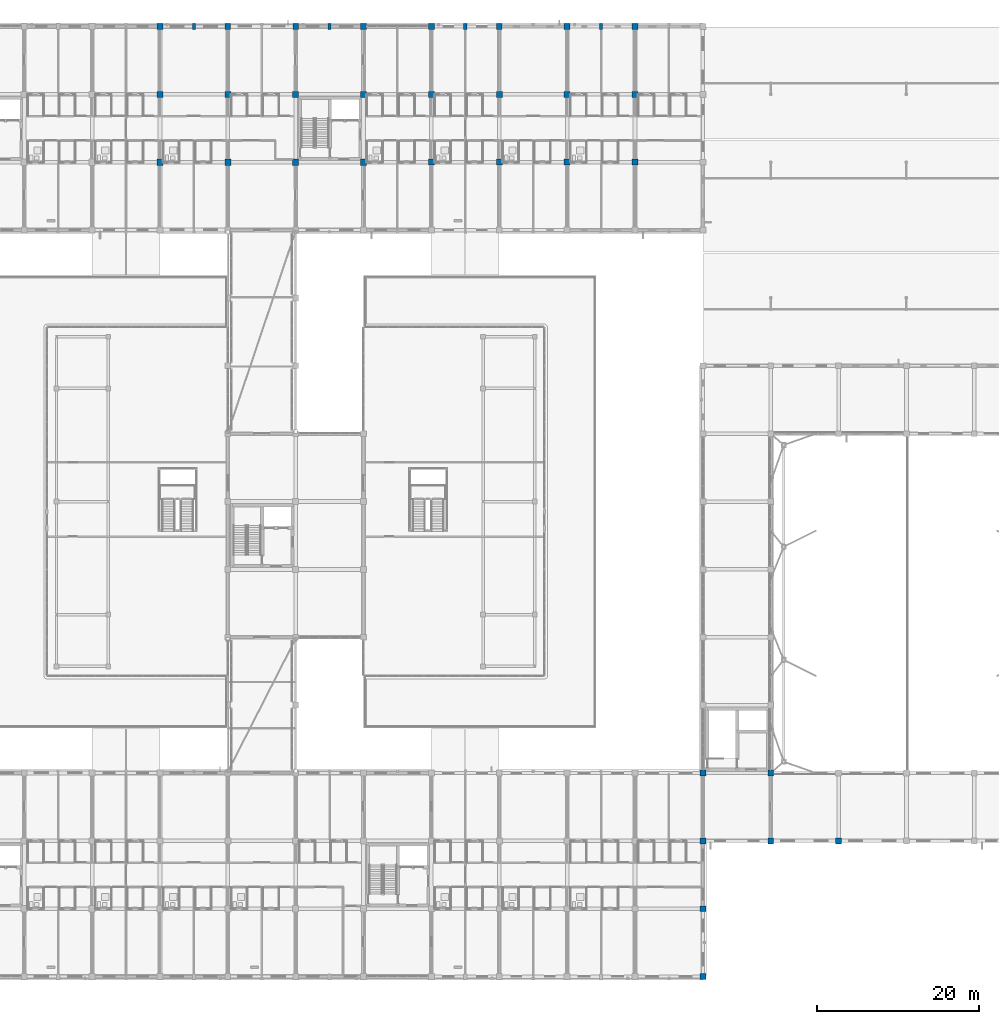
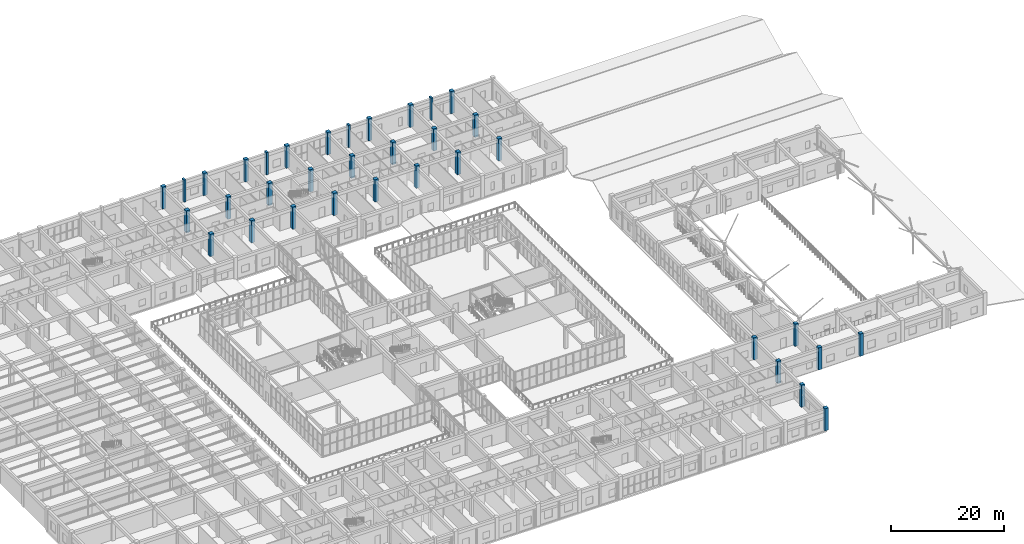
# One storey, part 11 of 158: 35 columns.
"""IFC4 building model written with IfcOpenShell, lengths in metres."""

from ifc_helpers import new_model, si_unit, direction, frame, origin, origin_2d, place, context, subcontext, project, spatial, rectangle, extrude, material, material_profile, profile_set, type_object, element, save


model = new_model("IFC4")

# Units and contexts
model_context = context("Model", 3, precision=1e-05, world=origin(), true_north=direction((0.0, 1.0)))
body_context = subcontext(model_context, "Body", "Model", "MODEL_VIEW")
ifc_project = project(units=[si_unit("LENGTHUNIT", "METRE"), si_unit("AREAUNIT", "SQUARE_METRE"), si_unit("VOLUMEUNIT", "CUBIC_METRE"), si_unit("PLANEANGLEUNIT", "RADIAN"), si_unit("MASSUNIT", "GRAM", prefix="KILO")], contexts=[model_context])

# Site, building, storey
site_placement = place(None, origin())
site = spatial("IfcSite", under=ifc_project, at=site_placement, CompositionType="ELEMENT")
building_placement = place(site_placement, origin())
building = spatial("IfcBuilding", under=site, at=building_placement, Name="Trelvath General Hospital", CompositionType="ELEMENT")
storey_placement = place(building_placement, frame((0.0, 0.0, 8.10009765625)))
storey = spatial("IfcBuildingStorey", under=building, at=storey_placement, Name="L02", CompositionType="ELEMENT", Elevation=8.10009765625)

# Columns
ifc_material_1 = material(Name="Concrete C40/50", Category="concrete")
ifc_material_profile_1 = material_profile(ifc_material_1, rectangle(XDim=0.719970703125, YDim=0.719970703125, at=origin_2d()), Name="RC720x720")
ifc_profile_set_1 = profile_set([ifc_material_profile_1], Name="Concrete C40/50")
column_type_1 = type_object("IfcColumnType", Name="Column RC720", PredefinedType="COLUMN", material=ifc_profile_set_1)
for number, where, z_axis, x_axis, name in (
    (1, (67.199951171875, 117.60009765625, 0.0), (0.0, 0.0, 1.0), (1.0, 0.0, 0.0), "Column C-9O L02"),
    (2, (75.60009765625, 117.60009765625, 0.0), (0.0, 0.0, 1.0), (1.0, 0.0, 0.0), "Column C-10O L02"),
    (3, (84.0, 117.60009765625, 0.0), (0.0, 0.0, 1.0), (1.0, 0.0, 0.0), "Column C-11O L02"),
    (4, (92.39990234375, 117.60009765625, 0.0), (0.0, 0.0, 1.0), (1.0, 0.0, 0.0), "Column C-12O L02"),
    (5, (100.800048828125, 117.60009765625, 0.0), (0.0, 0.0, 1.0), (1.0, 0.0, 0.0), "Column C-13O L02"),
    (6, (109.199951171875, 117.60009765625, 0.0), (0.0, 0.0, 1.0), (1.0, 0.0, 0.0), "Column C-14O L02"),
    (7, (117.60009765625, 117.60009765625, 0.0), (0.0, 0.0, 1.0), (1.0, 0.0, 0.0), "Column C-15O L02"),
    (8, (126.0, 117.60009765625, 0.0), (0.0, 0.0, 1.0), (1.0, 0.0, 0.0), "Column C-16O L02"),
    (9, (134.39990234375, 0.0, 0.0), (0.0, 0.0, 1.0), (1.0, 0.0, 0.0), "Column C-17A L02"),
    (10, (134.39990234375, 8.39990234375, 0.0), (0.0, 0.0, 1.0), (1.0, 0.0, 0.0), "Column C-17B L02"),
    (11, (134.39990234375, 16.800048828125, 0.0), (0.0, 0.0, 1.0), (1.0, 0.0, 0.0), "Column C-17C L02"),
    (12, (134.39990234375, 25.199951171875, 0.0), (0.0, 0.0, 1.0), (1.0, 0.0, 0.0), "Column C-17D L02"),
    (13, (142.800048828125, 16.800048828125, 0.0), (0.0, 0.0, 1.0), (1.0, 0.0, 0.0), "Column C-18C L02"),
    (14, (142.800048828125, 25.199951171875, 0.0), (0.0, 0.0, 1.0), (1.0, 0.0, 0.0), "Column C-18D L02"),
    (15, (151.199951171875, 16.800048828125, 0.0), (0.0, 0.0, 1.0), (1.0, 0.0, 0.0), "Column C-19C L02"),
):
    element("IfcColumn", number, at=place(storey_placement, frame(where, z_axis=z_axis, x_axis=x_axis)), inside=storey, type_object=column_type_1, Name=name, PredefinedType="COLUMN", context=body_context, shape_type="SweptSolid", body=[
        extrude(rectangle(XDim=0.719970703125, YDim=0.719970703125, at=origin_2d()), origin(), (0.0, 0.0, 1.0), 4.7998046875),
    ])
ifc_material_2 = material(Name="Concrete C40/50", Category="concrete")
ifc_material_profile_2 = material_profile(ifc_material_2, rectangle(XDim=0.739990234375, YDim=0.739990234375, at=origin_2d()), Name="RC740x740")
ifc_profile_set_2 = profile_set([ifc_material_profile_2], Name="Concrete C40/50")
column_type_2 = type_object("IfcColumnType", Name="Column RC740", PredefinedType="COLUMN", material=ifc_profile_set_2)
for number, where, z_axis, x_axis, name in (
    (16, (100.800048828125, 100.800048828125, 0.0), (0.0, 0.0, 1.0), (1.0, 0.0, 0.0), "Column C-13M L02"),
    (17, (100.800048828125, 109.199951171875, 0.0), (0.0, 0.0, 1.0), (1.0, 0.0, 0.0), "Column C-13N L02"),
    (18, (109.199951171875, 100.800048828125, 0.0), (0.0, 0.0, 1.0), (1.0, 0.0, 0.0), "Column C-14M L02"),
    (19, (109.199951171875, 109.199951171875, 0.0), (0.0, 0.0, 1.0), (1.0, 0.0, 0.0), "Column C-14N L02"),
    (20, (117.60009765625, 100.800048828125, 0.0), (0.0, 0.0, 1.0), (1.0, 0.0, 0.0), "Column C-15M L02"),
    (21, (117.60009765625, 109.199951171875, 0.0), (0.0, 0.0, 1.0), (1.0, 0.0, 0.0), "Column C-15N L02"),
    (22, (126.0, 100.800048828125, 0.0), (0.0, 0.0, 1.0), (1.0, 0.0, 0.0), "Column C-16M L02"),
    (23, (126.0, 109.199951171875, 0.0), (0.0, 0.0, 1.0), (1.0, 0.0, 0.0), "Column C-16N L02"),
):
    element("IfcColumn", number, at=place(storey_placement, frame(where, z_axis=z_axis, x_axis=x_axis)), inside=storey, type_object=column_type_2, Name=name, PredefinedType="COLUMN", context=body_context, shape_type="SweptSolid", body=[
        extrude(rectangle(XDim=0.739990234375, YDim=0.739990234375, at=origin_2d()), origin(), (0.0, 0.0, 1.0), 4.7998046875),
    ])
ifc_material_3 = material(Name="Concrete C40/50", Category="concrete")
ifc_material_profile_3 = material_profile(ifc_material_3, rectangle(XDim=0.75, YDim=0.75, at=origin_2d()), Name="RC750x750")
ifc_profile_set_3 = profile_set([ifc_material_profile_3], Name="Concrete C40/50")
column_type_3 = type_object("IfcColumnType", Name="Column RC750", PredefinedType="COLUMN", material=ifc_profile_set_3)
for number, where, z_axis, x_axis, name in (
    (24, (67.199951171875, 100.800048828125, 0.0), (0.0, 0.0, 1.0), (1.0, 0.0, 0.0), "Column C-9M L02"),
    (25, (67.199951171875, 109.199951171875, 0.0), (0.0, 0.0, 1.0), (1.0, 0.0, 0.0), "Column C-9N L02"),
    (26, (75.60009765625, 100.800048828125, 0.0), (0.0, 0.0, 1.0), (1.0, 0.0, 0.0), "Column C-10M L02"),
    (27, (75.60009765625, 109.199951171875, 0.0), (0.0, 0.0, 1.0), (1.0, 0.0, 0.0), "Column C-10N L02"),
    (28, (84.0, 100.800048828125, 0.0), (0.0, 0.0, 1.0), (1.0, 0.0, 0.0), "Column C-11M L02"),
    (29, (84.0, 109.199951171875, 0.0), (0.0, 0.0, 1.0), (1.0, 0.0, 0.0), "Column C-11N L02"),
    (30, (92.39990234375, 100.800048828125, 0.0), (0.0, 0.0, 1.0), (1.0, 0.0, 0.0), "Column C-12M L02"),
    (31, (92.39990234375, 109.199951171875, 0.0), (0.0, 0.0, 1.0), (1.0, 0.0, 0.0), "Column C-12N L02"),
):
    element("IfcColumn", number, at=place(storey_placement, frame(where, z_axis=z_axis, x_axis=x_axis)), inside=storey, type_object=column_type_3, Name=name, PredefinedType="COLUMN", context=body_context, shape_type="SweptSolid", body=[
        extrude(rectangle(XDim=0.75, YDim=0.75, at=origin_2d()), origin(), (0.0, 0.0, 1.0), 4.7998046875),
    ])
ifc_material_4 = material(Name="Concrete C40/50", Category="concrete")
ifc_material_profile_4 = material_profile(ifc_material_4, rectangle(XDim=0.39990234375, YDim=0.699951171875, at=origin_2d()), Name="RC400x700")
ifc_profile_set_4 = profile_set([ifc_material_profile_4], Name="Concrete C40/50")
column_type_4 = type_object("IfcColumnType", Name="Pilaster RC400x700", PredefinedType="PILASTER", material=ifc_profile_set_4)
for number, where, z_axis, x_axis, name in (
    (32, (71.39990234375, 117.60009765625, 0.0), (0.0, 0.0, 1.0), (1.0, 0.0, 0.0), "Facade Pilaster PL-N08 L02"),
    (33, (88.199951171875, 117.60009765625, 0.0), (0.0, 0.0, 1.0), (1.0, 0.0, 0.0), "Facade Pilaster PL-N10 L02"),
    (34, (105.0, 117.60009765625, 0.0), (0.0, 0.0, 1.0), (1.0, 0.0, 0.0), "Facade Pilaster PL-N12 L02"),
    (35, (121.800048828125, 117.60009765625, 0.0), (0.0, 0.0, 1.0), (1.0, 0.0, 0.0), "Facade Pilaster PL-N14 L02"),
):
    element("IfcColumn", number, at=place(storey_placement, frame(where, z_axis=z_axis, x_axis=x_axis)), inside=storey, type_object=column_type_4, Name=name, PredefinedType="PILASTER", context=body_context, shape_type="SweptSolid", body=[
        extrude(rectangle(XDim=0.39990234375, YDim=0.699951171875, at=origin_2d()), origin(), (0.0, 0.0, 1.0), 4.7998046875),
    ])

save(model, "model.ifc")
